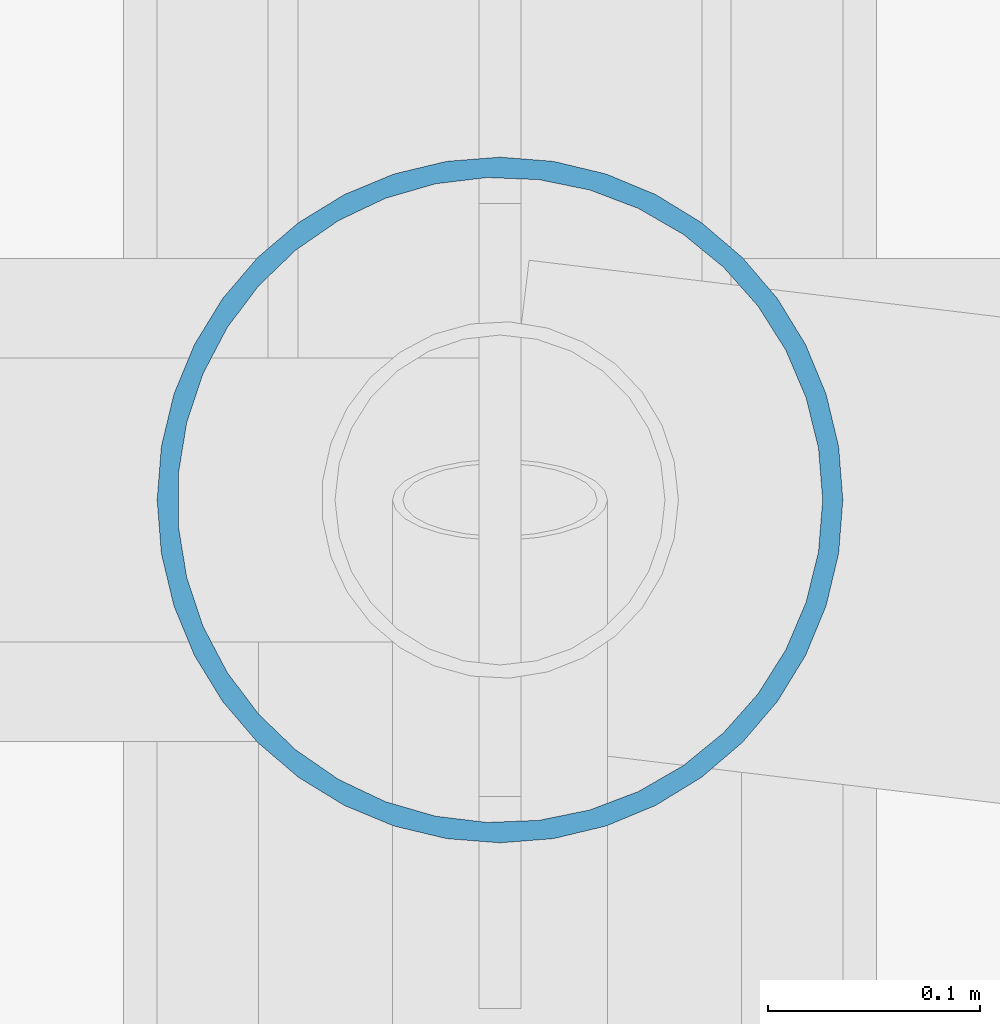
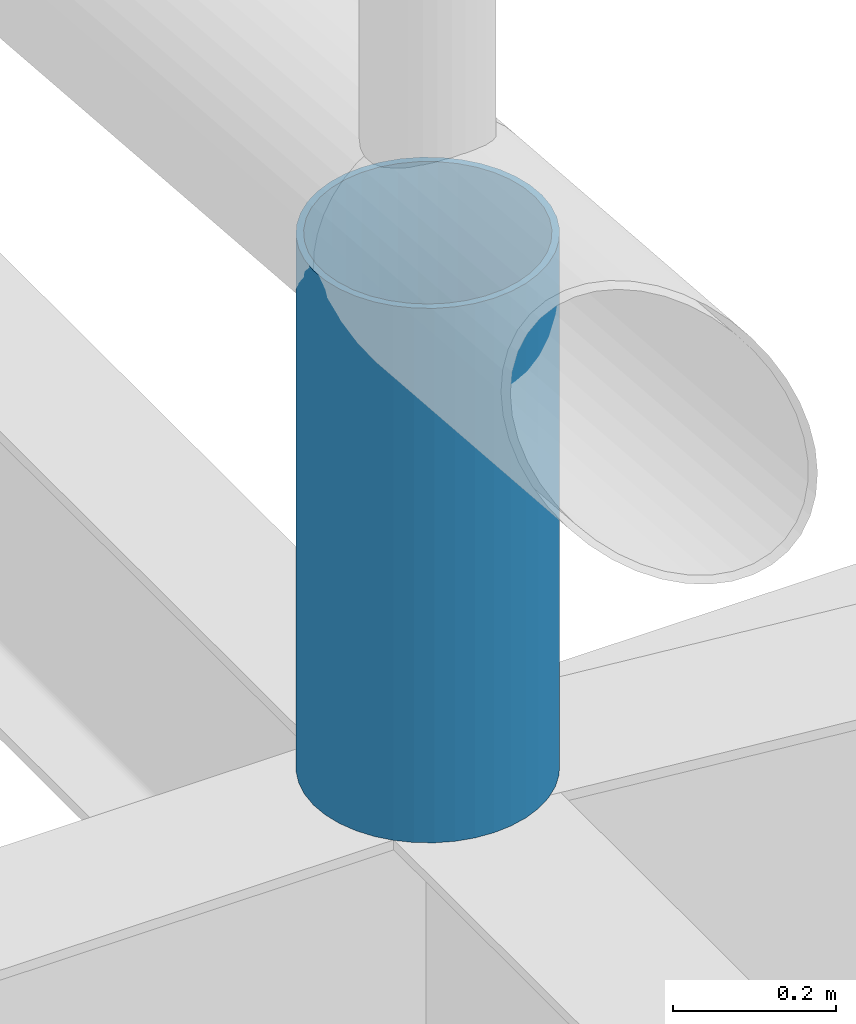
# One storey, part 80 of 93: 1 member.
"""IFC4 building model written with IfcOpenShell, lengths in metres."""

from ifc_helpers import new_model, si_unit, derived_unit, direction, frame, origin, origin_2d_with_axis, place, context, subcontext, project, spatial, hollow_circle, extrude, material, material_profile, profile_set, type_object, element, save


model = new_model("IFC4")

# Units and contexts
model_context = context("Model", 3, precision=1e-05, world=origin(), true_north=direction((0.0, 1.0)))
body_context = subcontext(model_context, "Body", "Model", "MODEL_VIEW")
ifc_project = project(units=[si_unit("LENGTHUNIT", "METRE"), si_unit("AREAUNIT", "SQUARE_METRE"), si_unit("VOLUMEUNIT", "CUBIC_METRE"), si_unit("PLANEANGLEUNIT", "RADIAN"), si_unit("MASSUNIT", "GRAM", prefix="KILO"), derived_unit("THERMALTRANSMITTANCEUNIT", [(si_unit("POWERUNIT", "WATT"), 1), (si_unit("LENGTHUNIT", "METRE"), -2), (si_unit("THERMODYNAMICTEMPERATUREUNIT", "KELVIN"), -1)])], contexts=[model_context])

# Site, building, storey
site_placement = place(None, origin())
site = spatial("IfcSite", under=ifc_project, at=site_placement, CompositionType="ELEMENT")
building_placement = place(site_placement, origin())
building = spatial("IfcBuilding", under=site, at=building_placement, Name="Cinnabar Yard Market Hall", CompositionType="ELEMENT")
storey_placement = place(building_placement, frame((0.0, 0.0, 23.800048828125)))
storey = spatial("IfcBuildingStorey", under=building, at=storey_placement, Name="ROOF", CompositionType="ELEMENT", Elevation=23.800048828125)

# Member
ifc_material = material(Name="Spotted-gum glulam-clad steel Grade 350 (350 MPa)", Category="steel")
ifc_material_profile = material_profile(ifc_material, hollow_circle(Radius=0.161865234375, WallThickness=0.009521484375, at=origin_2d_with_axis()), Name="323.9x9.5CHS")
ifc_profile_set = profile_set([ifc_material_profile], Name="Spotted-gum glulam-clad steel Grade 350 (350 MPa)")
member_type = type_object("IfcMemberType", Name="MB-ST01", PredefinedType="STRUT", material=ifc_profile_set)
member_placement = place(storey_placement, frame((146.0, 64.0, -9.400146484375), z_axis=(0.0, 0.0, 1.0), x_axis=(1.0, 0.0, 0.0)))
element("IfcMember", 1, at=member_placement, inside=storey, type_object=member_type, Name="Truss Bearing Post 146-64", PredefinedType="STRUT", context=body_context, shape_type="SweptSolid", body=[
    extrude(hollow_circle(Radius=0.161865234375, WallThickness=0.009521484375, at=origin_2d_with_axis()), origin(), (0.0, 0.0, 1.0), 0.800048828125),
])

save(model, "model.ifc")
